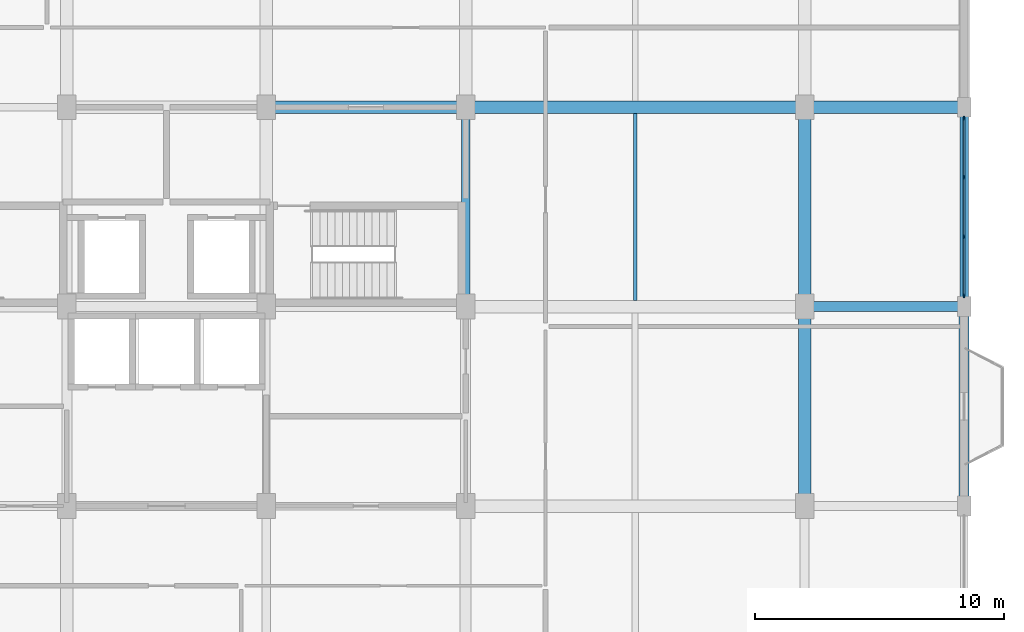
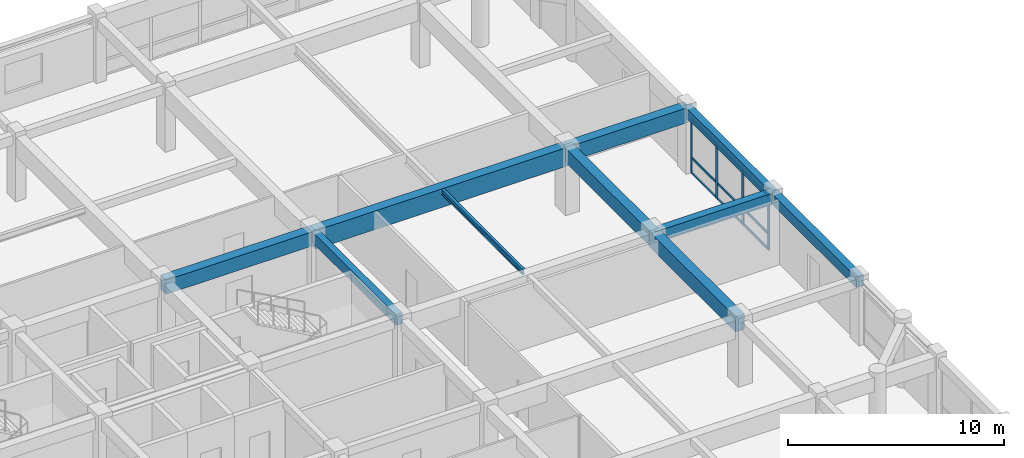
# One storey, part 5 of 15: 13 members, 10 beams, 1 element without a shape of its own.
"""IFC4 building model written with IfcOpenShell, lengths in metres."""

from ifc_helpers import new_model, si_unit, direction, frame, origin, origin_2d, place, context, subcontext, project, spatial, rectangle, i_section, extrude, material, material_profile, profile_set, type_object, element, aggregate, save


model = new_model("IFC4")

# Units and contexts
model_context = context("Model", 3, precision=1e-05, world=origin(), true_north=direction((0.0, 1.0)))
body_context = subcontext(model_context, "Body", "Model", "MODEL_VIEW")
ifc_project = project(units=[si_unit("LENGTHUNIT", "METRE"), si_unit("AREAUNIT", "SQUARE_METRE"), si_unit("VOLUMEUNIT", "CUBIC_METRE"), si_unit("PLANEANGLEUNIT", "RADIAN"), si_unit("MASSUNIT", "GRAM", prefix="KILO")], contexts=[model_context])

# Site, building, storey
site_placement = place(None, origin())
site = spatial("IfcSite", under=ifc_project, at=site_placement, CompositionType="ELEMENT")
building_placement = place(site_placement, origin())
building = spatial("IfcBuilding", under=site, at=building_placement, Name="Vellmiral Cinema and Media Centre", CompositionType="ELEMENT")
storey_placement = place(building_placement, frame((0.0, 0.0, 31.699951171875)))
storey = spatial("IfcBuildingStorey", under=building, at=storey_placement, Name="L07", CompositionType="ELEMENT", Elevation=31.699951171875)

# Beams
ifc_material_1 = material(Name="Concrete C40/50", Category="concrete")
ifc_material_profile_1 = material_profile(ifc_material_1, rectangle(XDim=0.35009765625, YDim=0.60009765625, at=origin_2d()), Name="RC 350x600")
ifc_profile_set_1 = profile_set([ifc_material_profile_1], Name="Concrete C40/50")
beam_type_1 = type_object("IfcBeamType", Name="BM-RC-350x600", PredefinedType="BEAM", material=ifc_profile_set_1)
beam_1_placement = place(storey_placement, frame((148.0, 87.199951171875, 3.3349609375), z_axis=(0.0, 1.0, 0.0), x_axis=(-1.0, 0.0, 0.0)))
element("IfcBeam", 1, at=beam_1_placement, inside=storey, type_object=beam_type_1, Name="Grid Beam L07-Y082", PredefinedType="BEAM", context=body_context, shape_type="SweptSolid", body=[
    extrude(rectangle(XDim=0.35009765625, YDim=0.60009765625, at=origin_2d()), origin(), (0.0, 0.0, 1.0), 8.0),
])
ifc_material_2 = material(Name="Concrete C40/50", Category="concrete")
ifc_material_profile_2 = material_profile(ifc_material_2, rectangle(XDim=0.39990234375, YDim=0.64990234375, at=origin_2d()), Name="RC 400x650")
ifc_profile_set_2 = profile_set([ifc_material_profile_2], Name="Concrete C40/50")
beam_type_2 = type_object("IfcBeamType", Name="BM-RC-400x650", PredefinedType="BEAM", material=ifc_profile_set_2)
beam_2_placement = place(storey_placement, frame((161.60009765625, 87.199951171875, 3.31005859375), z_axis=(1.0, 0.0, 0.0), x_axis=(0.0, 1.0, 0.0)))
element("IfcBeam", 2, at=beam_2_placement, inside=storey, type_object=beam_type_2, Name="Grid Beam L07-X028", PredefinedType="BEAM", context=body_context, shape_type="SweptSolid", body=[
    extrude(rectangle(XDim=0.39990234375, YDim=0.64990234375, at=origin_2d()), origin(), (0.0, 0.0, 1.0), 6.39990234375),
])
ifc_material_3 = material(Name="Concrete C40/50", Category="concrete")
ifc_material_profile_3 = material_profile(ifc_material_3, rectangle(XDim=0.5, YDim=0.800048828125, at=origin_2d()), Name="RC 500x800")
ifc_profile_set_3 = profile_set([ifc_material_profile_3], Name="Concrete C40/50")
beam_type_3 = type_object("IfcBeamType", Name="BM-RC-500x800", PredefinedType="BEAM", material=ifc_profile_set_3)
for number, where, z_axis, x_axis, name in (
    (3, (140.0, 95.199951171875, 3.235107421875), (1.0, 0.0, 0.0), (0.0, 1.0, 0.0), "Grid Beam L07-X033"),
    (4, (161.60009765625, 87.199951171875, 3.235107421875), (0.0, 1.0, 0.0), (-1.0, 0.0, 0.0), "Grid Beam L07-Y088"),
):
    element("IfcBeam", number, at=place(storey_placement, frame(where, z_axis=z_axis, x_axis=x_axis)), inside=storey, type_object=beam_type_3, Name=name, PredefinedType="BEAM", context=body_context, shape_type="SweptSolid", body=[
        extrude(rectangle(XDim=0.5, YDim=0.800048828125, at=origin_2d()), origin(), (0.0, 0.0, 1.0), 8.0),
    ])
ifc_material_4 = material(Name="Concrete C40/50", Category="concrete")
ifc_material_profile_4 = material_profile(ifc_material_4, rectangle(XDim=0.5, YDim=0.85009765625, at=origin_2d()), Name="RC 500x850")
ifc_profile_set_4 = profile_set([ifc_material_profile_4], Name="Concrete C40/50")
beam_type_4 = type_object("IfcBeamType", Name="BM-RC-500x850", PredefinedType="BEAM", material=ifc_profile_set_4)
beam_3_placement = place(storey_placement, frame((161.60009765625, 95.199951171875, 3.2099609375), z_axis=(1.0, 0.0, 0.0), x_axis=(0.0, 1.0, 0.0)))
element("IfcBeam", 5, at=beam_3_placement, inside=storey, type_object=beam_type_4, Name="Grid Beam L07-X035", PredefinedType="BEAM", context=body_context, shape_type="SweptSolid", body=[
    extrude(rectangle(XDim=0.5, YDim=0.85009765625, at=origin_2d()), origin(), (0.0, 0.0, 1.0), 6.39990234375),
])
beam_4_placement = place(storey_placement, frame((161.60009765625, 79.199951171875, 3.2099609375), z_axis=(0.0, 1.0, 0.0), x_axis=(-1.0, 0.0, 0.0)))
element("IfcBeam", 6, at=beam_4_placement, inside=storey, type_object=beam_type_4, Name="Grid Beam L07-Y087", PredefinedType="BEAM", context=body_context, shape_type="SweptSolid", body=[
    extrude(rectangle(XDim=0.5, YDim=0.85009765625, at=origin_2d()), origin(), (0.0, 0.0, 1.0), 8.0),
])
ifc_material_5 = material(Name="Concrete C40/50", Category="concrete")
ifc_material_profile_5 = material_profile(ifc_material_5, rectangle(XDim=0.5, YDim=1.050048828125, at=origin_2d()), Name="RC 500x1050")
ifc_profile_set_5 = profile_set([ifc_material_profile_5], Name="Concrete C40/50")
beam_type_5 = type_object("IfcBeamType", Name="BM-RCG-500x1050", PredefinedType="BEAM", material=ifc_profile_set_5)
beam_5_placement = place(storey_placement, frame((148.0, 95.199951171875, 3.110107421875), z_axis=(1.0, 0.0, 0.0), x_axis=(0.0, 1.0, 0.0)))
element("IfcBeam", 7, at=beam_5_placement, inside=storey, type_object=beam_type_5, Name="Grid Beam L07-X034", PredefinedType="BEAM", context=body_context, shape_type="SweptSolid", body=[
    extrude(rectangle(XDim=0.5, YDim=1.050048828125, at=origin_2d()), origin(), (0.0, 0.0, 1.0), 13.60009765625),
])

# Curtain wall, members
ifc_material_6 = material(Name="Thermally Broken Aluminium and Triple Glazing", Category="aluminium")
curtain_wall_type = type_object("IfcCurtainWallType", Name="CW-TOWER-LOW-S", PredefinedType="USERDEFINED", material=ifc_material_6)
curtain_wall_placement = place(storey_placement, origin())
curtain_wall = element("IfcCurtainWall", 8, at=curtain_wall_placement, inside=storey, type_object=curtain_wall_type, Name="Curtain Wall L07-B012", ObjectType="UNITISED CURTAIN WALL", PredefinedType="USERDEFINED")
ifc_material_7 = material(Name="Thermally Broken Anodised Aluminium", Category="aluminium")
ifc_material_profile_6 = material_profile(ifc_material_7, rectangle(XDim=0.06494140625, YDim=0.159912109375, at=origin_2d()), Name="MULL 65x160")
ifc_profile_set_6 = profile_set([ifc_material_profile_6], Name="Thermally Broken Anodised Aluminium")
member_type_1 = type_object("IfcMemberType", Name="CWM-65x160", PredefinedType="MULLION", material=ifc_profile_set_6)
member_1_placement = place(storey_placement, frame((168.0, 87.632568359375, 0.0), z_axis=(0.0, 0.0, 1.0), x_axis=(-1.0, 0.0, 0.0)))
member_1 = element("IfcMember", 9, at=member_1_placement, type_object=member_type_1, Name="CW-06 mullion 1", PredefinedType="MULLION", context=body_context, shape_type="SweptSolid", body=[
    extrude(rectangle(XDim=0.06494140625, YDim=0.159912109375, at=origin_2d()), origin(), (0.0, 0.0, 1.0), 3.0400390625),
])
member_2_placement = place(storey_placement, frame((168.0, 90.0, 0.0), z_axis=(0.0, 0.0, 1.0), x_axis=(-1.0, 0.0, 0.0)))
member_2 = element("IfcMember", 10, at=member_2_placement, type_object=member_type_1, Name="CW-06 mullion 2", PredefinedType="MULLION", context=body_context, shape_type="SweptSolid", body=[
    extrude(rectangle(XDim=0.06494140625, YDim=0.159912109375, at=origin_2d()), origin(), (0.0, 0.0, 1.0), 3.0400390625),
])
member_3_placement = place(storey_placement, frame((168.0, 92.39990234375, 0.0), z_axis=(0.0, 0.0, 1.0), x_axis=(-1.0, 0.0, 0.0)))
member_3 = element("IfcMember", 11, at=member_3_placement, type_object=member_type_1, Name="CW-06 mullion 3", PredefinedType="MULLION", context=body_context, shape_type="SweptSolid", body=[
    extrude(rectangle(XDim=0.06494140625, YDim=0.159912109375, at=origin_2d()), origin(), (0.0, 0.0, 1.0), 3.0400390625),
])
member_4_placement = place(storey_placement, frame((168.0, 94.767578125, 0.0), z_axis=(0.0, 0.0, 1.0), x_axis=(-1.0, 0.0, 0.0)))
member_4 = element("IfcMember", 12, at=member_4_placement, type_object=member_type_1, Name="CW-06 mullion 4", PredefinedType="MULLION", context=body_context, shape_type="SweptSolid", body=[
    extrude(rectangle(XDim=0.06494140625, YDim=0.159912109375, at=origin_2d()), origin(), (0.0, 0.0, 1.0), 3.0400390625),
])
ifc_material_8 = material(Name="Thermally Broken Anodised Aluminium", Category="aluminium")
ifc_material_profile_7 = material_profile(ifc_material_8, rectangle(XDim=0.06494140625, YDim=0.135009765625, at=origin_2d()), Name="MULL 65x135")
ifc_profile_set_7 = profile_set([ifc_material_profile_7], Name="Thermally Broken Anodised Aluminium")
member_type_2 = type_object("IfcMemberType", Name="CWT-65x135", PredefinedType="USERDEFINED", material=ifc_profile_set_7)
member_5_placement = place(storey_placement, frame((168.0, 87.6650390625, 0.032470703125), z_axis=(0.0, 1.0, 0.0), x_axis=(-1.0, 0.0, 0.0)))
member_5 = element("IfcMember", 13, at=member_5_placement, type_object=member_type_2, Name="CW-06 transom 1.1", ObjectType="TRANSOM", PredefinedType="USERDEFINED", context=body_context, shape_type="SweptSolid", body=[
    extrude(rectangle(XDim=0.06494140625, YDim=0.135009765625, at=origin_2d()), origin(), (0.0, 0.0, 1.0), 2.302490234375),
])
member_6_placement = place(storey_placement, frame((168.0, 87.6650390625, 0.900146484375), z_axis=(0.0, 1.0, 0.0), x_axis=(-1.0, 0.0, 0.0)))
member_6 = element("IfcMember", 14, at=member_6_placement, type_object=member_type_2, Name="CW-06 transom 1.2", ObjectType="TRANSOM", PredefinedType="USERDEFINED", context=body_context, shape_type="SweptSolid", body=[
    extrude(rectangle(XDim=0.06494140625, YDim=0.135009765625, at=origin_2d()), origin(), (0.0, 0.0, 1.0), 2.302490234375),
])
member_7_placement = place(storey_placement, frame((168.0, 87.6650390625, 3.007568359375), z_axis=(0.0, 1.0, 0.0), x_axis=(-1.0, 0.0, 0.0)))
member_7 = element("IfcMember", 15, at=member_7_placement, type_object=member_type_2, Name="CW-06 transom 1.3", ObjectType="TRANSOM", PredefinedType="USERDEFINED", context=body_context, shape_type="SweptSolid", body=[
    extrude(rectangle(XDim=0.06494140625, YDim=0.135009765625, at=origin_2d()), origin(), (0.0, 0.0, 1.0), 2.302490234375),
])
member_8_placement = place(storey_placement, frame((168.0, 90.032470703125, 0.032470703125), z_axis=(0.0, 1.0, 0.0), x_axis=(-1.0, 0.0, 0.0)))
member_8 = element("IfcMember", 16, at=member_8_placement, type_object=member_type_2, Name="CW-06 transom 2.1", ObjectType="TRANSOM", PredefinedType="USERDEFINED", context=body_context, shape_type="SweptSolid", body=[
    extrude(rectangle(XDim=0.06494140625, YDim=0.135009765625, at=origin_2d()), origin(), (0.0, 0.0, 1.0), 2.3349609375),
])
member_9_placement = place(storey_placement, frame((168.0, 90.032470703125, 0.900146484375), z_axis=(0.0, 1.0, 0.0), x_axis=(-1.0, 0.0, 0.0)))
member_9 = element("IfcMember", 17, at=member_9_placement, type_object=member_type_2, Name="CW-06 transom 2.2", ObjectType="TRANSOM", PredefinedType="USERDEFINED", context=body_context, shape_type="SweptSolid", body=[
    extrude(rectangle(XDim=0.06494140625, YDim=0.135009765625, at=origin_2d()), origin(), (0.0, 0.0, 1.0), 2.3349609375),
])
member_10_placement = place(storey_placement, frame((168.0, 90.032470703125, 3.007568359375), z_axis=(0.0, 1.0, 0.0), x_axis=(-1.0, 0.0, 0.0)))
member_10 = element("IfcMember", 18, at=member_10_placement, type_object=member_type_2, Name="CW-06 transom 2.3", ObjectType="TRANSOM", PredefinedType="USERDEFINED", context=body_context, shape_type="SweptSolid", body=[
    extrude(rectangle(XDim=0.06494140625, YDim=0.135009765625, at=origin_2d()), origin(), (0.0, 0.0, 1.0), 2.3349609375),
])
member_11_placement = place(storey_placement, frame((168.0, 92.4326171875, 0.032470703125), z_axis=(0.0, 1.0, 0.0), x_axis=(-1.0, 0.0, 0.0)))
member_11 = element("IfcMember", 19, at=member_11_placement, type_object=member_type_2, Name="CW-06 transom 3.1", ObjectType="TRANSOM", PredefinedType="USERDEFINED", context=body_context, shape_type="SweptSolid", body=[
    extrude(rectangle(XDim=0.06494140625, YDim=0.135009765625, at=origin_2d()), origin(), (0.0, 0.0, 1.0), 2.302490234375),
])
member_12_placement = place(storey_placement, frame((168.0, 92.4326171875, 0.900146484375), z_axis=(0.0, 1.0, 0.0), x_axis=(-1.0, 0.0, 0.0)))
member_12 = element("IfcMember", 20, at=member_12_placement, type_object=member_type_2, Name="CW-06 transom 3.2", ObjectType="TRANSOM", PredefinedType="USERDEFINED", context=body_context, shape_type="SweptSolid", body=[
    extrude(rectangle(XDim=0.06494140625, YDim=0.135009765625, at=origin_2d()), origin(), (0.0, 0.0, 1.0), 2.302490234375),
])
member_13_placement = place(storey_placement, frame((168.0, 92.4326171875, 3.007568359375), z_axis=(0.0, 1.0, 0.0), x_axis=(-1.0, 0.0, 0.0)))
member_13 = element("IfcMember", 21, at=member_13_placement, type_object=member_type_2, Name="CW-06 transom 3.3", ObjectType="TRANSOM", PredefinedType="USERDEFINED", context=body_context, shape_type="SweptSolid", body=[
    extrude(rectangle(XDim=0.06494140625, YDim=0.135009765625, at=origin_2d()), origin(), (0.0, 0.0, 1.0), 2.302490234375),
])
aggregate(curtain_wall, [member_1, member_2, member_3, member_4, member_5, member_6, member_7, member_8, member_9, member_10, member_11, member_12, member_13])

# Beams
ifc_material_9 = material(Name="Steel S355", Category="steel")
ifc_material_profile_8 = material_profile(ifc_material_9, i_section(OverallWidth=0.14990234375, OverallDepth=0.300048828125, WebThickness=0.007080078125, FlangeThickness=0.0107421875, FilletRadius=0.014892578125, at=origin_2d()), Name="IPE 300")
ifc_profile_set_8 = profile_set([ifc_material_profile_8], Name="Steel S355")
beam_type_6 = type_object("IfcBeamType", Name="SBM-IPE300", PredefinedType="JOIST", material=ifc_profile_set_8)
beam_6_placement = place(storey_placement, frame((154.800048828125, 87.449951171875, 3.485107421875), z_axis=(0.0, 1.0, 0.0), x_axis=(-1.0, 0.0, 0.0)))
element("IfcBeam", 22, at=beam_6_placement, inside=storey, type_object=beam_type_6, Name="Secondary Floor Joist L07-009", PredefinedType="JOIST", context=body_context, shape_type="SweptSolid", body=[
    extrude(i_section(OverallWidth=0.14990234375, OverallDepth=0.300048828125, WebThickness=0.007080078125, FlangeThickness=0.0107421875, FilletRadius=0.014892578125, at=origin_2d()), origin(), (0.0, 0.0, 1.0), 7.5),
])
ifc_material_10 = material(Name="Concrete C40/50", Category="concrete")
ifc_material_profile_9 = material_profile(ifc_material_10, rectangle(XDim=0.35009765625, YDim=0.56005859375, at=origin_2d()), Name="RC 350x560")
ifc_profile_set_9 = profile_set([ifc_material_profile_9], Name="Concrete C40/50")
beam_type_7 = type_object("IfcBeamType", Name="SPD-RC-350x560", PredefinedType="SPANDREL", material=ifc_profile_set_9)
beam_7_placement = place(storey_placement, frame((168.0, 87.199951171875, 3.35498046875), z_axis=(0.0, 1.0, 0.0), x_axis=(-1.0, 0.0, 0.0)))
element("IfcBeam", 23, at=beam_7_placement, inside=storey, type_object=beam_type_7, Name="Grid Beam L07-Y094", PredefinedType="SPANDREL", context=body_context, shape_type="SweptSolid", body=[
    extrude(rectangle(XDim=0.35009765625, YDim=0.56005859375, at=origin_2d()), origin(), (0.0, 0.0, 1.0), 8.0),
])
ifc_material_11 = material(Name="Concrete C40/50", Category="concrete")
ifc_material_profile_10 = material_profile(ifc_material_11, rectangle(XDim=0.39990234375, YDim=0.60009765625, at=origin_2d()), Name="RC 400x600")
ifc_profile_set_10 = profile_set([ifc_material_profile_10], Name="Concrete C40/50")
beam_type_8 = type_object("IfcBeamType", Name="SPD-RC-400x600", PredefinedType="SPANDREL", material=ifc_profile_set_10)
beam_8_placement = place(storey_placement, frame((168.0, 79.199951171875, 3.3349609375), z_axis=(0.0, 1.0, 0.0), x_axis=(-1.0, 0.0, 0.0)))
element("IfcBeam", 24, at=beam_8_placement, inside=storey, type_object=beam_type_8, Name="Grid Beam L07-Y093", PredefinedType="SPANDREL", context=body_context, shape_type="SweptSolid", body=[
    extrude(rectangle(XDim=0.39990234375, YDim=0.60009765625, at=origin_2d()), origin(), (0.0, 0.0, 1.0), 8.0),
])

save(model, "model.ifc")
